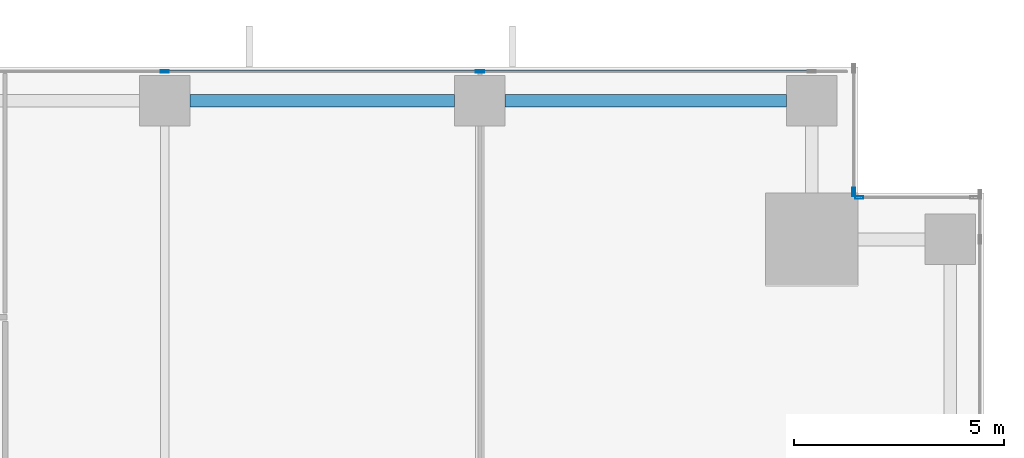
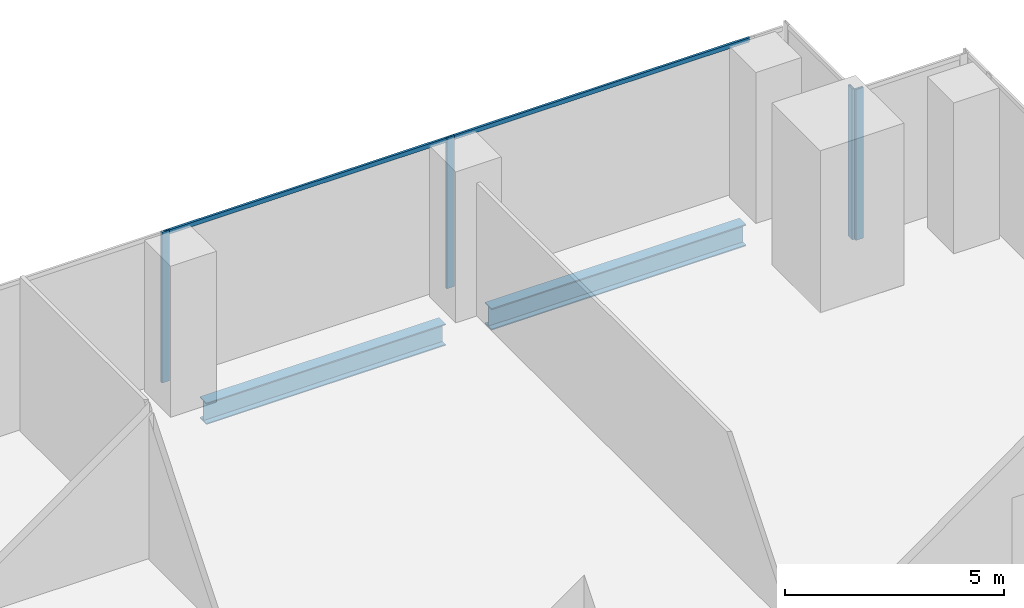
# One storey, part 18 of 32: 6 members, 2 beams, 3 elements without a shape of their own.
"""IFC4 building model written with IfcOpenShell, lengths in metres."""

import ifcopenshell
import ifcopenshell.guid

model = None  # the IFC model being written
_history = None  # IfcOwnerHistory: only IFC2X3 demands one
_inside = {}  # id of a spatial element -> (the spatial element, [elements in it])
_under = {}  # id of a project, library or spatial element -> (it, [spatial elements below it])
_declared = {}  # id of a project -> (the project, [libraries it declares])
_typed = {}  # id of a type object -> (the type object, [elements of that type])
_made_of = {}  # id of a material, layer set ... -> (it, [elements and type objects made of it])


def new_model(schema):
    """Start an empty IFC model of exactly this schema.

    Asked for "IFC4X3", IfcOpenShell would pick the latest addendum, in which some entities
    have other attributes; the version numbers below select the first issue.
    IFC2X3 requires an IfcOwnerHistory on every rooted entity: one is made here for all.
    """
    global model, _history
    if schema == "IFC4X3":
        model = ifcopenshell.file(schema_version=(4, 3, 0, 0))
    else:
        model = ifcopenshell.file(schema=schema)
    _inside.clear()
    _under.clear()
    _declared.clear()
    _typed.clear()
    _made_of.clear()
    _history = None
    if model.schema == "IFC2X3":
        org = make("IfcOrganization", Name="unknown")
        user = make(
            "IfcPersonAndOrganization",
            ThePerson=make("IfcPerson", FamilyName="unknown"),
            TheOrganization=org,
        )
        app = make(
            "IfcApplication",
            ApplicationDeveloper=org,
            Version="unknown",
            ApplicationFullName="unknown",
            ApplicationIdentifier="unknown",
        )
        _history = make(
            "IfcOwnerHistory",
            OwningUser=user,
            OwningApplication=app,
            ChangeAction="ADDED",
            CreationDate=0,
        )
    return model


def make(cls, **values):
    """One entity of the class cls with the attributes given. An attribute that is None is left unset."""
    return model.create_entity(
        cls, **{name: value for name, value in values.items() if value is not None}
    )


def rooted(cls, **values):
    """An entity with a GlobalId (a new one), such as an element, a storey or a relation."""
    return make(cls, GlobalId=ifcopenshell.guid.new(), OwnerHistory=_history, **values)


def si_unit(unit_type, name, prefix=None):
    """IfcSIUnit, for example si_unit("LENGTHUNIT", "METRE", prefix="MILLI")."""
    return make("IfcSIUnit", UnitType=unit_type, Prefix=prefix, Name=name)


def assignment(units):
    """IfcUnitAssignment: the units of a project."""
    return None if units is None else make("IfcUnitAssignment", Units=units)


def point(xyz):
    """IfcCartesianPoint."""
    return None if xyz is None else make("IfcCartesianPoint", Coordinates=xyz)


def direction(xyz):
    """IfcDirection."""
    return None if xyz is None else make("IfcDirection", DirectionRatios=xyz)


def frame(location, z_axis=None, x_axis=None):
    """IfcAxis2Placement3D, a coordinate frame: its origin and axes. An axis left out is left unset."""
    return make(
        "IfcAxis2Placement3D",
        Location=point(location),
        Axis=direction(z_axis),
        RefDirection=direction(x_axis),
    )


def frame_2d(location, x_axis=None):
    """IfcAxis2Placement2D, a coordinate frame in the plane: its origin and x axis."""
    return make(
        "IfcAxis2Placement2D", Location=point(location), RefDirection=direction(x_axis)
    )


def origin():
    """The frame at (0, 0, 0) with its axes left unset."""
    return frame((0.0, 0.0, 0.0))


def origin_2d():
    """The frame at (0, 0) in the plane with its x axis left unset."""
    return frame_2d((0.0, 0.0))


def place(relative_to, where):
    """IfcLocalPlacement: puts the frame where relative to a parent placement (None: the world)."""
    return make(
        "IfcLocalPlacement", PlacementRelTo=relative_to, RelativePlacement=where
    )


def context(
    kind, dimensions, precision=None, world=None, true_north=None, identifier=None
):
    """IfcGeometricRepresentationContext, for example the 3D "Model" context."""
    return make(
        "IfcGeometricRepresentationContext",
        ContextIdentifier=identifier,
        ContextType=kind,
        CoordinateSpaceDimension=dimensions,
        Precision=precision,
        WorldCoordinateSystem=world,
        TrueNorth=true_north,
    )


def subcontext(parent, identifier, kind, view, scale=None):
    """IfcGeometricRepresentationSubContext, for example "Body" below "Model"."""
    return make(
        "IfcGeometricRepresentationSubContext",
        ContextIdentifier=identifier,
        ContextType=kind,
        ParentContext=parent,
        TargetScale=scale,
        TargetView=view,
    )


def project(units=None, contexts=None):
    """IfcProject with its units and contexts."""
    return rooted(
        "IfcProject",
        Name="project",
        RepresentationContexts=contexts,
        UnitsInContext=assignment(units),
    )


def spatial(cls, under=None, at=None, **own):
    """A site, building, storey or space (cls), placed at a placement, below another one or the project."""
    s = rooted(cls, ObjectPlacement=at, **own)
    if under is not None:
        _under.setdefault(under.id(), (under, []))[1].append(s)
    return s


def profile(cls, at=None, kind="AREA", **sizes):
    """A parametric profile (cls). Its sizes go by their IFC names, for example OverallWidth=200.0."""
    return make(cls, ProfileType=kind, Position=at, **sizes)


def hollow_rectangle(**sizes):
    """IfcRectangleHollowProfileDef."""
    return profile("IfcRectangleHollowProfileDef", **sizes)


def i_section(**sizes):
    """IfcIShapeProfileDef."""
    return profile("IfcIShapeProfileDef", **sizes)


def extrude(swept, where, along, depth):
    """IfcExtrudedAreaSolid: the profile swept, set in the frame where, extruded along a direction by depth."""
    return make(
        "IfcExtrudedAreaSolid",
        SweptArea=swept,
        Position=where,
        ExtrudedDirection=direction(along),
        Depth=depth,
    )


def shape(context_of_items, identifier, shape_type, items):
    """IfcShapeRepresentation: the items that make up one representation, for example the "Body"."""
    return make(
        "IfcShapeRepresentation",
        ContextOfItems=context_of_items,
        RepresentationIdentifier=identifier,
        RepresentationType=shape_type,
        Items=items,
    )


def source(mapping_origin, context_of_items, identifier, shape_type, items):
    """IfcRepresentationMap: a shape defined once, which mapped items show again and again."""
    return make(
        "IfcRepresentationMap",
        MappingOrigin=mapping_origin,
        MappedRepresentation=shape(context_of_items, identifier, shape_type, items),
    )


def transform(
    local_origin,
    x_axis=None,
    y_axis=None,
    z_axis=None,
    scale=None,
    scale2=None,
    scale3=None,
    uniform=True,
):
    """IfcCartesianTransformationOperator3D, or its non-uniform kind. x_axis, y_axis, z_axis: its Axis1, 2, 3."""
    if uniform:
        return make(
            "IfcCartesianTransformationOperator3D",
            Axis1=direction(x_axis),
            Axis2=direction(y_axis),
            LocalOrigin=point(local_origin),
            Scale=scale,
            Axis3=direction(z_axis),
        )
    return make(
        "IfcCartesianTransformationOperator3DnonUniform",
        Axis1=direction(x_axis),
        Axis2=direction(y_axis),
        LocalOrigin=point(local_origin),
        Scale=scale,
        Axis3=direction(z_axis),
        Scale2=scale2,
        Scale3=scale3,
    )


def mapped(mapping_source, mapping_target):
    """IfcMappedItem: shows the shape of a source again, moved by a transform."""
    return make(
        "IfcMappedItem", MappingSource=mapping_source, MappingTarget=mapping_target
    )


def material(Name=None, Category=None):
    """IfcMaterial."""
    return make("IfcMaterial", Name=Name, Category=Category)


def material_profile(
    of_material, cross_section, Name=None, Category=None, Priority=None
):
    """IfcMaterialProfile: a cross section and its material."""
    return make(
        "IfcMaterialProfile",
        Name=Name,
        Material=of_material,
        Profile=cross_section,
        Priority=Priority,
        Category=Category,
    )


def profile_set(profiles, Name=None, composite=None):
    """IfcMaterialProfileSet."""
    return make(
        "IfcMaterialProfileSet",
        Name=Name,
        MaterialProfiles=profiles,
        CompositeProfile=composite,
    )


def made_of(thing, what):
    """Note that an element or type object is made of a material, layer set ...; save() writes the relation."""
    if what is not None:
        _made_of.setdefault(what.id(), (what, []))[1].append(thing)
    return thing


def type_object(cls, material=None, **own):
    """A type object (cls), such as IfcWallType, which elements share."""
    return made_of(rooted(cls, **own), material)


def element(
    cls,
    number,
    at=None,
    inside=None,
    cuts=None,
    type_object=None,
    material=None,
    context=None,
    identifier="Body",
    shape_type=None,
    held_by="IfcProductDefinitionShape",
    body=None,
    shapes=None,
    **own,
):
    """One element of the class cls, such as IfcWall. Its Tag is "e" and its number.

    at: its placement. inside: the storey or other place that contains it. cuts: it is an
    opening in that element (IfcRelVoidsElement). A single representation is given by context,
    identifier, shape_type and body (its items); several are given by shapes. held_by: the class
    of the entity that holds the representations. save() writes the other relations.
    """
    e = rooted(cls, Tag="e%d" % number, ObjectPlacement=at, **own)
    if body is not None:
        shapes = [shape(context, identifier, shape_type, body)]
    if shapes is not None:
        e.Representation = make(held_by, Representations=shapes)
    if inside is not None:
        _inside.setdefault(inside.id(), (inside, []))[1].append(e)
    if cuts is not None:
        rooted(
            "IfcRelVoidsElement", RelatingBuildingElement=cuts, RelatedOpeningElement=e
        )
    if type_object is not None:
        _typed.setdefault(type_object.id(), (type_object, []))[1].append(e)
    return made_of(e, material)


def aggregate(whole, parts):
    """IfcRelAggregates: a whole, such as a stair, and the parts it consists of."""
    return rooted("IfcRelAggregates", RelatingObject=whole, RelatedObjects=parts)


def save(model, path):
    """Write the relations noted so far, then the file.

    IfcRelAggregates (storeys below a building ...), IfcRelContainedInSpatialStructure (elements
    in a storey), IfcRelDefinesByType, IfcRelAssociatesMaterial and IfcRelDeclares: one each for
    every whole, place, type object, material and project.
    """
    for whole, parts in _under.values():
        aggregate(whole, parts)
    for where, things in _inside.values():
        rooted(
            "IfcRelContainedInSpatialStructure",
            RelatedElements=things,
            RelatingStructure=where,
        )
    for kind, things in _typed.values():
        rooted("IfcRelDefinesByType", RelatedObjects=things, RelatingType=kind)
    for what, things in _made_of.values():
        rooted("IfcRelAssociatesMaterial", RelatedObjects=things, RelatingMaterial=what)
    for by, libraries in _declared.values():
        rooted("IfcRelDeclares", RelatingContext=by, RelatedDefinitions=libraries)
    model.write(path)


model = new_model("IFC4")

# Units and contexts
model_context = context("Model", 3, precision=1e-05, world=origin(), true_north=direction((0.0, 1.0)))
body_context = subcontext(model_context, "Body", "Model", "MODEL_VIEW")
ifc_project = project(units=[si_unit("LENGTHUNIT", "METRE"), si_unit("AREAUNIT", "SQUARE_METRE"), si_unit("VOLUMEUNIT", "CUBIC_METRE"), si_unit("PLANEANGLEUNIT", "RADIAN"), si_unit("MASSUNIT", "GRAM", prefix="KILO")], contexts=[model_context])

# Site, building, storey
site_placement = place(None, origin())
site = spatial("IfcSite", under=ifc_project, at=site_placement, CompositionType="ELEMENT")
building_placement = place(site_placement, origin())
building = spatial("IfcBuilding", under=site, at=building_placement, Name="Khomas Fold Tower", CompositionType="ELEMENT")
storey_placement = place(building_placement, frame((0.0, 0.0, 37.5)))
storey = spatial("IfcBuildingStorey", under=building, at=storey_placement, Name="L07", CompositionType="ELEMENT", Elevation=37.5)

# Beams
ifc_material_1 = material(Name="Steel S355", Category="steel")
ifc_material_profile_1 = material_profile(ifc_material_1, i_section(OverallWidth=0.300048828125, OverallDepth=0.60009765625, WebThickness=0.015380859375, FlangeThickness=0.030029296875, at=origin_2d()), Name="HE 600 B")
ifc_profile_set_1 = profile_set([ifc_material_profile_1], Name="Steel S355")
beam_type = type_object("IfcBeamType", Name="HE 600 B spandrel SB1", PredefinedType="SPANDREL", material=ifc_profile_set_1)
shared_shape_1 = source(origin(), body_context, "Body", "SweptSolid", [
    extrude(i_section(OverallWidth=0.300048828125, OverallDepth=0.60009765625, WebThickness=0.015380859375, FlangeThickness=0.030029296875, at=origin_2d()), origin(), (0.0, 0.0, 1.0), 6.699951171875),
])
beam_1_placement = place(storey_placement, frame((42.60009765625, 53.199951171875, -0.60009765625), z_axis=(1.0, 0.0, 0.0), x_axis=(0.0, 1.0, 0.0)))
element("IfcBeam", 1, at=beam_1_placement, inside=storey, type_object=beam_type, Name="SB1", PredefinedType="SPANDREL", context=body_context, shape_type="MappedRepresentation", body=[
    mapped(shared_shape_1, transform((0.0, 0.0, 0.0))),
])
shared_shape_2 = source(origin(), body_context, "Body", "SweptSolid", [
    extrude(i_section(OverallWidth=0.300048828125, OverallDepth=0.60009765625, WebThickness=0.015380859375, FlangeThickness=0.030029296875, at=origin_2d()), origin(), (0.0, 0.0, 1.0), 6.2998046875),
])
beam_2_placement = place(storey_placement, frame((35.10009765625, 53.199951171875, -0.60009765625), z_axis=(1.0, 0.0, 0.0), x_axis=(0.0, 1.0, 0.0)))
element("IfcBeam", 2, at=beam_2_placement, inside=storey, type_object=beam_type, Name="SB1", PredefinedType="SPANDREL", context=body_context, shape_type="MappedRepresentation", body=[
    mapped(shared_shape_2, transform((0.0, 0.0, 0.0))),
])

# Curtain wall, members
ifc_material_2 = material(Name="Aluminium framed double glazing", Category="aluminium")
curtain_wall_type = type_object("IfcCurtainWallType", Name="SK-Unitised clear-glass wall, growing floors CW1", PredefinedType="NOTDEFINED", material=ifc_material_2)
curtain_wall_1_placement = place(storey_placement, origin())
curtain_wall_1 = element("IfcCurtainWall", 3, at=curtain_wall_1_placement, inside=storey, type_object=curtain_wall_type, Name="CW1 run L07 06-0", PredefinedType="NOTDEFINED")
ifc_material_3 = material(Name="Aluminium", Category="aluminium")
ifc_material_profile_2 = material_profile(ifc_material_3, hollow_rectangle(XDim=0.06005859375, YDim=0.1201171875, WallThickness=0.00390625, at=origin_2d()), Name="SK-Unitised clear-glass wall, growing floors transom CW1-T")
ifc_profile_set_2 = profile_set([ifc_material_profile_2], Name="Aluminium")
member_type_1 = type_object("IfcMemberType", Name="SK-Unitised clear-glass wall, growing floors transom CW1-T", PredefinedType="USERDEFINED", material=ifc_profile_set_2)
shared_shape_3 = source(origin(), body_context, "Body", "SweptSolid", [
    extrude(hollow_rectangle(XDim=0.06005859375, YDim=0.1201171875, WallThickness=0.00390625, at=origin_2d()), origin(), (0.0, 0.0, 1.0), 7.840087890625),
])
member_1_placement = place(storey_placement, frame((49.8701171875, 53.89990234375, 4.139892578125), z_axis=(-1.0, 0.0, 0.0), x_axis=(0.0, -1.0, 0.0)))
member_1 = element("IfcMember", 4, at=member_1_placement, type_object=member_type_1, Name="CW1 transom 2", ObjectType="TRANSOM", PredefinedType="USERDEFINED", context=body_context, shape_type="MappedRepresentation", body=[
    mapped(shared_shape_3, transform((0.0, 0.0, 0.0))),
])
shared_shape_4 = source(origin(), body_context, "Body", "SweptSolid", [
    extrude(hollow_rectangle(XDim=0.06005859375, YDim=0.1201171875, WallThickness=0.00390625, at=origin_2d()), origin(), (0.0, 0.0, 1.0), 7.43994140625),
])
member_2_placement = place(storey_placement, frame((41.969970703125, 53.89990234375, 4.139892578125), z_axis=(-1.0, 0.0, 0.0), x_axis=(0.0, -1.0, 0.0)))
member_2 = element("IfcMember", 5, at=member_2_placement, type_object=member_type_1, Name="CW1 transom 3", ObjectType="TRANSOM", PredefinedType="USERDEFINED", context=body_context, shape_type="MappedRepresentation", body=[
    mapped(shared_shape_4, transform((0.0, 0.0, 0.0))),
])

# Curtain wall, member
curtain_wall_2_placement = place(storey_placement, origin())
curtain_wall_2 = element("IfcCurtainWall", 6, at=curtain_wall_2_placement, inside=storey, type_object=curtain_wall_type, Name="CW1 corner return L07 04", PredefinedType="NOTDEFINED")
ifc_material_4 = material(Name="Aluminium", Category="aluminium")
ifc_material_profile_3 = material_profile(ifc_material_4, hollow_rectangle(XDim=0.06005859375, YDim=0.199951171875, WallThickness=0.00390625, at=origin_2d()), Name="SK-Unitised clear-glass wall, growing floors mullion CW1-M")
ifc_profile_set_3 = profile_set([ifc_material_profile_3], Name="Aluminium")
member_type_2 = type_object("IfcMemberType", Name="SK-Unitised clear-glass wall, growing floors mullion CW1-M", PredefinedType="MULLION", material=ifc_profile_set_3)
shared_shape_5 = source(origin(), body_context, "Body", "SweptSolid", [
    extrude(hollow_rectangle(XDim=0.06005859375, YDim=0.199951171875, WallThickness=0.00390625, at=origin_2d()), origin(), (0.0, 0.0, 1.0), 4.199951171875),
])
member_3_placement = place(storey_placement, frame((51.030029296875, 50.89990234375, 0.0), z_axis=(0.0, 0.0, 1.0), x_axis=(0.0, -1.0, 0.0)))
member_3 = element("IfcMember", 7, at=member_3_placement, type_object=member_type_2, Name="CW1 mullion 2", PredefinedType="MULLION", context=body_context, shape_type="MappedRepresentation", body=[
    mapped(shared_shape_5, transform((0.0, 0.0, 0.0))),
])
aggregate(curtain_wall_2, [member_3])

curtain_wall_3_placement = place(storey_placement, origin())
curtain_wall_3 = element("IfcCurtainWall", 8, at=curtain_wall_3_placement, inside=storey, type_object=curtain_wall_type, Name="CW1 corner return L07 05", PredefinedType="NOTDEFINED")
member_4_placement = place(storey_placement, frame((50.89990234375, 51.030029296875, 0.0), z_axis=(0.0, 0.0, 1.0), x_axis=(-1.0, 0.0, 0.0)))
member_4 = element("IfcMember", 9, at=member_4_placement, type_object=member_type_2, Name="CW1 mullion 1", PredefinedType="MULLION", context=body_context, shape_type="MappedRepresentation", body=[
    mapped(shared_shape_5, transform((0.0, 0.0, 0.0))),
])
aggregate(curtain_wall_3, [member_4])

# Member
member_5_placement = place(storey_placement, frame((42.0, 53.89990234375, 0.0), z_axis=(0.0, 0.0, 1.0), x_axis=(0.0, -1.0, 0.0)))
member_5 = element("IfcMember", 10, at=member_5_placement, type_object=member_type_2, Name="CW1 mullion 3", PredefinedType="MULLION", context=body_context, shape_type="MappedRepresentation", body=[
    mapped(shared_shape_5, transform((0.0, 0.0, 0.0))),
])

member_6_placement = place(storey_placement, frame((34.5, 53.89990234375, 0.0), z_axis=(0.0, 0.0, 1.0), x_axis=(0.0, -1.0, 0.0)))
member_6 = element("IfcMember", 11, at=member_6_placement, type_object=member_type_2, Name="CW1 mullion 4", PredefinedType="MULLION", context=body_context, shape_type="MappedRepresentation", body=[
    mapped(shared_shape_5, transform((0.0, 0.0, 0.0))),
])

aggregate(curtain_wall_1, [member_5, member_6, member_1, member_2])

save(model, "model.ifc")
